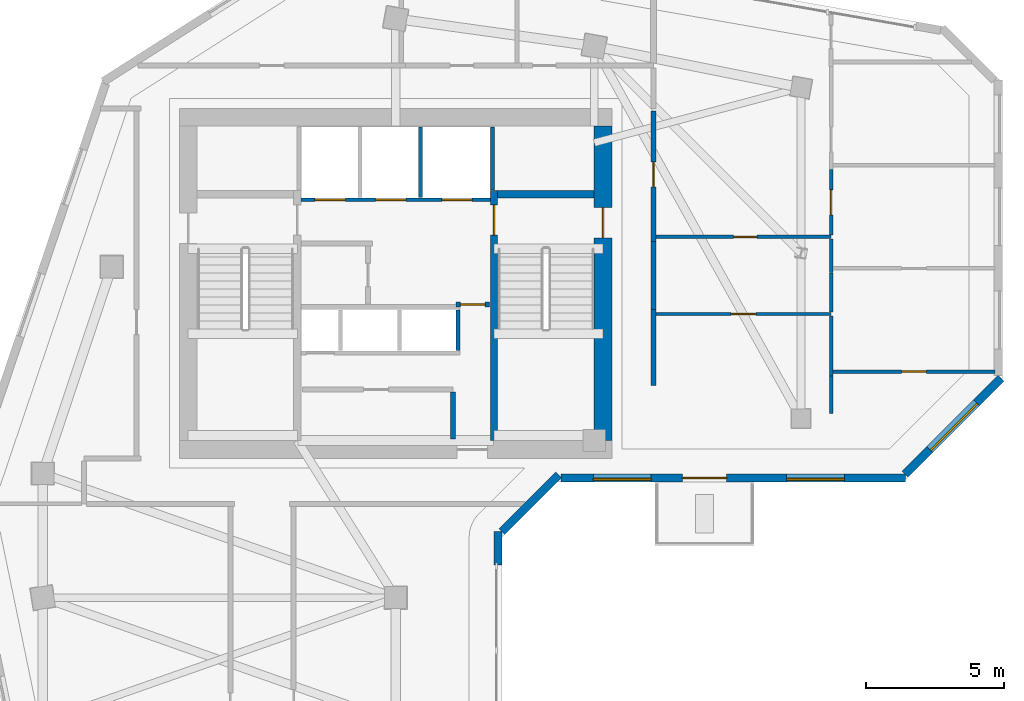
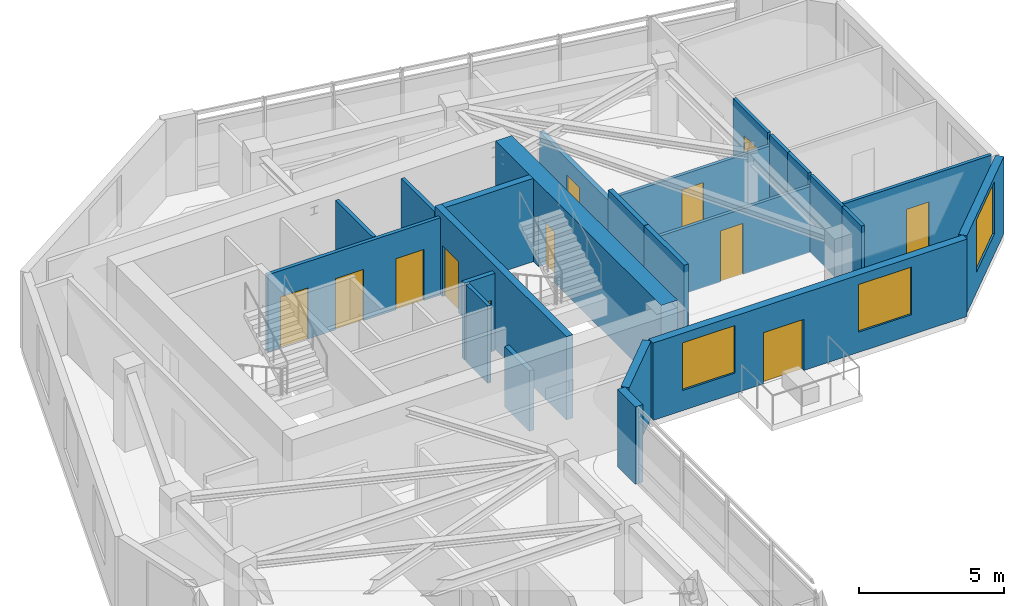
# One storey, part 5 of 9: 24 walls, 12 doors, 3 windows, 15 openings.
"""IFC4 building model written with IfcOpenShell, lengths in metres."""

import ifcopenshell
import ifcopenshell.guid

model = None  # the IFC model being written
_history = None  # IfcOwnerHistory: only IFC2X3 demands one
_inside = {}  # id of a spatial element -> (the spatial element, [elements in it])
_under = {}  # id of a project, library or spatial element -> (it, [spatial elements below it])
_declared = {}  # id of a project -> (the project, [libraries it declares])
_typed = {}  # id of a type object -> (the type object, [elements of that type])
_made_of = {}  # id of a material, layer set ... -> (it, [elements and type objects made of it])


def new_model(schema):
    """Start an empty IFC model of exactly this schema.

    Asked for "IFC4X3", IfcOpenShell would pick the latest addendum, in which some entities
    have other attributes; the version numbers below select the first issue.
    IFC2X3 requires an IfcOwnerHistory on every rooted entity: one is made here for all.
    """
    global model, _history
    if schema == "IFC4X3":
        model = ifcopenshell.file(schema_version=(4, 3, 0, 0))
    else:
        model = ifcopenshell.file(schema=schema)
    _inside.clear()
    _under.clear()
    _declared.clear()
    _typed.clear()
    _made_of.clear()
    _history = None
    if model.schema == "IFC2X3":
        org = make("IfcOrganization", Name="unknown")
        user = make(
            "IfcPersonAndOrganization",
            ThePerson=make("IfcPerson", FamilyName="unknown"),
            TheOrganization=org,
        )
        app = make(
            "IfcApplication",
            ApplicationDeveloper=org,
            Version="unknown",
            ApplicationFullName="unknown",
            ApplicationIdentifier="unknown",
        )
        _history = make(
            "IfcOwnerHistory",
            OwningUser=user,
            OwningApplication=app,
            ChangeAction="ADDED",
            CreationDate=0,
        )
    return model


def make(cls, **values):
    """One entity of the class cls with the attributes given. An attribute that is None is left unset."""
    return model.create_entity(
        cls, **{name: value for name, value in values.items() if value is not None}
    )


def rooted(cls, **values):
    """An entity with a GlobalId (a new one), such as an element, a storey or a relation."""
    return make(cls, GlobalId=ifcopenshell.guid.new(), OwnerHistory=_history, **values)


def si_unit(unit_type, name, prefix=None):
    """IfcSIUnit, for example si_unit("LENGTHUNIT", "METRE", prefix="MILLI")."""
    return make("IfcSIUnit", UnitType=unit_type, Prefix=prefix, Name=name)


def assignment(units):
    """IfcUnitAssignment: the units of a project."""
    return None if units is None else make("IfcUnitAssignment", Units=units)


def point(xyz):
    """IfcCartesianPoint."""
    return None if xyz is None else make("IfcCartesianPoint", Coordinates=xyz)


def direction(xyz):
    """IfcDirection."""
    return None if xyz is None else make("IfcDirection", DirectionRatios=xyz)


def frame(location, z_axis=None, x_axis=None):
    """IfcAxis2Placement3D, a coordinate frame: its origin and axes. An axis left out is left unset."""
    return make(
        "IfcAxis2Placement3D",
        Location=point(location),
        Axis=direction(z_axis),
        RefDirection=direction(x_axis),
    )


def frame_2d(location, x_axis=None):
    """IfcAxis2Placement2D, a coordinate frame in the plane: its origin and x axis."""
    return make(
        "IfcAxis2Placement2D", Location=point(location), RefDirection=direction(x_axis)
    )


def origin():
    """The frame at (0, 0, 0) with its axes left unset."""
    return frame((0.0, 0.0, 0.0))


def place(relative_to, where):
    """IfcLocalPlacement: puts the frame where relative to a parent placement (None: the world)."""
    return make(
        "IfcLocalPlacement", PlacementRelTo=relative_to, RelativePlacement=where
    )


def context(
    kind, dimensions, precision=None, world=None, true_north=None, identifier=None
):
    """IfcGeometricRepresentationContext, for example the 3D "Model" context."""
    return make(
        "IfcGeometricRepresentationContext",
        ContextIdentifier=identifier,
        ContextType=kind,
        CoordinateSpaceDimension=dimensions,
        Precision=precision,
        WorldCoordinateSystem=world,
        TrueNorth=true_north,
    )


def subcontext(parent, identifier, kind, view, scale=None):
    """IfcGeometricRepresentationSubContext, for example "Body" below "Model"."""
    return make(
        "IfcGeometricRepresentationSubContext",
        ContextIdentifier=identifier,
        ContextType=kind,
        ParentContext=parent,
        TargetScale=scale,
        TargetView=view,
    )


def project(units=None, contexts=None):
    """IfcProject with its units and contexts."""
    return rooted(
        "IfcProject",
        Name="project",
        RepresentationContexts=contexts,
        UnitsInContext=assignment(units),
    )


def spatial(cls, under=None, at=None, **own):
    """A site, building, storey or space (cls), placed at a placement, below another one or the project."""
    s = rooted(cls, ObjectPlacement=at, **own)
    if under is not None:
        _under.setdefault(under.id(), (under, []))[1].append(s)
    return s


def profile(cls, at=None, kind="AREA", **sizes):
    """A parametric profile (cls). Its sizes go by their IFC names, for example OverallWidth=200.0."""
    return make(cls, ProfileType=kind, Position=at, **sizes)


def rectangle(**sizes):
    """IfcRectangleProfileDef."""
    return profile("IfcRectangleProfileDef", **sizes)


def extrude(swept, where, along, depth):
    """IfcExtrudedAreaSolid: the profile swept, set in the frame where, extruded along a direction by depth."""
    return make(
        "IfcExtrudedAreaSolid",
        SweptArea=swept,
        Position=where,
        ExtrudedDirection=direction(along),
        Depth=depth,
    )


def shape(context_of_items, identifier, shape_type, items):
    """IfcShapeRepresentation: the items that make up one representation, for example the "Body"."""
    return make(
        "IfcShapeRepresentation",
        ContextOfItems=context_of_items,
        RepresentationIdentifier=identifier,
        RepresentationType=shape_type,
        Items=items,
    )


def source(mapping_origin, context_of_items, identifier, shape_type, items):
    """IfcRepresentationMap: a shape defined once, which mapped items show again and again."""
    return make(
        "IfcRepresentationMap",
        MappingOrigin=mapping_origin,
        MappedRepresentation=shape(context_of_items, identifier, shape_type, items),
    )


def transform(
    local_origin,
    x_axis=None,
    y_axis=None,
    z_axis=None,
    scale=None,
    scale2=None,
    scale3=None,
    uniform=True,
):
    """IfcCartesianTransformationOperator3D, or its non-uniform kind. x_axis, y_axis, z_axis: its Axis1, 2, 3."""
    if uniform:
        return make(
            "IfcCartesianTransformationOperator3D",
            Axis1=direction(x_axis),
            Axis2=direction(y_axis),
            LocalOrigin=point(local_origin),
            Scale=scale,
            Axis3=direction(z_axis),
        )
    return make(
        "IfcCartesianTransformationOperator3DnonUniform",
        Axis1=direction(x_axis),
        Axis2=direction(y_axis),
        LocalOrigin=point(local_origin),
        Scale=scale,
        Axis3=direction(z_axis),
        Scale2=scale2,
        Scale3=scale3,
    )


def mapped(mapping_source, mapping_target):
    """IfcMappedItem: shows the shape of a source again, moved by a transform."""
    return make(
        "IfcMappedItem", MappingSource=mapping_source, MappingTarget=mapping_target
    )


def material(Name=None, Category=None):
    """IfcMaterial."""
    return make("IfcMaterial", Name=Name, Category=Category)


def layer(
    of_material, thickness, ventilated=None, Name=None, Category=None, Priority=None
):
    """IfcMaterialLayer: one layer of a wall or slab, of a material (None: an air gap)."""
    return make(
        "IfcMaterialLayer",
        Material=of_material,
        LayerThickness=thickness,
        IsVentilated=ventilated,
        Name=Name,
        Category=Category,
        Priority=Priority,
    )


def layer_set(layers, Name=None):
    """IfcMaterialLayerSet."""
    return make("IfcMaterialLayerSet", MaterialLayers=layers, LayerSetName=Name)


def made_of(thing, what):
    """Note that an element or type object is made of a material, layer set ...; save() writes the relation."""
    if what is not None:
        _made_of.setdefault(what.id(), (what, []))[1].append(thing)
    return thing


def type_object(cls, material=None, **own):
    """A type object (cls), such as IfcWallType, which elements share."""
    return made_of(rooted(cls, **own), material)


def element(
    cls,
    number,
    at=None,
    inside=None,
    cuts=None,
    type_object=None,
    material=None,
    context=None,
    identifier="Body",
    shape_type=None,
    held_by="IfcProductDefinitionShape",
    body=None,
    shapes=None,
    **own,
):
    """One element of the class cls, such as IfcWall. Its Tag is "e" and its number.

    at: its placement. inside: the storey or other place that contains it. cuts: it is an
    opening in that element (IfcRelVoidsElement). A single representation is given by context,
    identifier, shape_type and body (its items); several are given by shapes. held_by: the class
    of the entity that holds the representations. save() writes the other relations.
    """
    e = rooted(cls, Tag="e%d" % number, ObjectPlacement=at, **own)
    if body is not None:
        shapes = [shape(context, identifier, shape_type, body)]
    if shapes is not None:
        e.Representation = make(held_by, Representations=shapes)
    if inside is not None:
        _inside.setdefault(inside.id(), (inside, []))[1].append(e)
    if cuts is not None:
        rooted(
            "IfcRelVoidsElement", RelatingBuildingElement=cuts, RelatedOpeningElement=e
        )
    if type_object is not None:
        _typed.setdefault(type_object.id(), (type_object, []))[1].append(e)
    return made_of(e, material)


def fill(opening, filler):
    """IfcRelFillsElement: the door or window that sits in an opening."""
    return rooted(
        "IfcRelFillsElement",
        RelatingOpeningElement=opening,
        RelatedBuildingElement=filler,
    )


def aggregate(whole, parts):
    """IfcRelAggregates: a whole, such as a stair, and the parts it consists of."""
    return rooted("IfcRelAggregates", RelatingObject=whole, RelatedObjects=parts)


def save(model, path):
    """Write the relations noted so far, then the file.

    IfcRelAggregates (storeys below a building ...), IfcRelContainedInSpatialStructure (elements
    in a storey), IfcRelDefinesByType, IfcRelAssociatesMaterial and IfcRelDeclares: one each for
    every whole, place, type object, material and project.
    """
    for whole, parts in _under.values():
        aggregate(whole, parts)
    for where, things in _inside.values():
        rooted(
            "IfcRelContainedInSpatialStructure",
            RelatedElements=things,
            RelatingStructure=where,
        )
    for kind, things in _typed.values():
        rooted("IfcRelDefinesByType", RelatedObjects=things, RelatingType=kind)
    for what, things in _made_of.values():
        rooted("IfcRelAssociatesMaterial", RelatedObjects=things, RelatingMaterial=what)
    for by, libraries in _declared.values():
        rooted("IfcRelDeclares", RelatingContext=by, RelatedDefinitions=libraries)
    model.write(path)


model = new_model("IFC4")

# Units and contexts
model_context = context("Model", 3, precision=1e-05, world=origin(), true_north=direction((0.0, 1.0)))
body_context = subcontext(model_context, "Body", "Model", "MODEL_VIEW")
ifc_project = project(units=[si_unit("LENGTHUNIT", "METRE"), si_unit("AREAUNIT", "SQUARE_METRE"), si_unit("VOLUMEUNIT", "CUBIC_METRE"), si_unit("PLANEANGLEUNIT", "RADIAN"), si_unit("MASSUNIT", "GRAM", prefix="KILO")], contexts=[model_context])

# Site, building, storey
site_placement = place(None, origin())
site = spatial("IfcSite", under=ifc_project, at=site_placement, CompositionType="ELEMENT")
building_placement = place(site_placement, origin())
building = spatial("IfcBuilding", under=site, at=building_placement, Name="Calvemar Wedge Station Tower", CompositionType="ELEMENT")
storey_placement = place(building_placement, frame((0.0, 0.0, 232.39990234375)))
storey = spatial("IfcBuildingStorey", under=building, at=storey_placement, Name="L59", CompositionType="ELEMENT", Elevation=232.39990234375)

# Wall, opening, door
ifc_material_1 = material(Name="Concrete C50", Category="concrete")
ifc_layer_1 = layer(ifc_material_1, 0.260009765625)
ifc_layer_set_1 = layer_set([ifc_layer_1], Name="Concrete C50")
wall_type_1 = type_object("IfcWallType", Name="SW-CORE-260", PredefinedType="SHEAR", material=ifc_layer_set_1)
wall_1_placement = place(storey_placement, frame((27.3701171875, 34.199951171875, 0.0), z_axis=(0.0, 0.0, 1.0), x_axis=(0.0, 1.0, 0.0)))
wall_1 = element("IfcWall", 1, at=wall_1_placement, inside=storey, type_object=wall_type_1, Name="Storey L59 Core Shear Wall SPINE-E", PredefinedType="SHEAR", context=body_context, shape_type="SweptSolid", body=[
    extrude(rectangle(XDim=9.06005859375, YDim=0.260009765625, at=frame_2d((4.530029296875, 0.0))), origin(), (0.0, 0.0, 1.0), 3.5),
])
shared_shape_1 = source(origin(), body_context, "Body", "SweptSolid", [
    extrude(rectangle(XDim=1.10009765625, YDim=2.14990234375, at=frame_2d((0.550048828125, 1.074951171875))), frame((0.0, 0.14013671875, 0.0), z_axis=(0.0, -1.0, 0.0), x_axis=(1.0, 0.0, 0.0)), (0.0, 0.0, 1.0), 0.280029296875),
])
opening_1_placement = place(wall_1_placement, frame((7.449951171875, 0.0, 0.0)))
opening_1 = element("IfcOpeningElement", 2, at=opening_1_placement, cuts=wall_1, Name="Opening FD-90", PredefinedType="OPENING", context=body_context, shape_type="MappedRepresentation", body=[
    mapped(shared_shape_1, transform((0.0, 0.0, 0.0), scale=1.0)),
])
ifc_material_2 = material(Name="Galvanized fire-rated steel door leaf P-90", Category="steel")
door_type_1 = type_object("IfcDoorType", Name="DR-FD90-1100", OperationType="NOTDEFINED", PredefinedType="DOOR", material=ifc_material_2)
shared_shape_2 = source(origin(), body_context, "Body", "SweptSolid", [
    extrude(rectangle(XDim=1.10009765625, YDim=2.14990234375, at=frame_2d((0.550048828125, 1.074951171875))), frame((0.0, 0.02490234375, 0.0), z_axis=(0.0, -1.0, 0.0), x_axis=(1.0, 0.0, 0.0)), (0.0, 0.0, 1.0), 0.050048828125),
])
door_1_placement = place(opening_1_placement, origin())
door_1 = element("IfcDoor", 3, at=door_1_placement, inside=storey, type_object=door_type_1, Name="L59 FF Lobby to Stair ST-C2 Door", OperationType="SINGLE_SWING_RIGHT", OverallHeight=2.14990234375, OverallWidth=1.10009765625, PredefinedType="DOOR", context=body_context, shape_type="MappedRepresentation", body=[
    mapped(shared_shape_2, transform((0.0, 0.0, 0.0), scale=1.0)),
])
fill(opening_1, door_1)

# Wall
wall_2_placement = place(storey_placement, frame((27.5, 43.1298828125, 0.0), z_axis=(0.0, 0.0, 1.0), x_axis=(1.0, 0.0, 0.0)))
element("IfcWall", 4, at=wall_2_placement, inside=storey, type_object=wall_type_1, Name="Storey L59 Core Shear Wall STC2-N", PredefinedType="SHEAR", context=body_context, shape_type="SweptSolid", body=[
    extrude(rectangle(XDim=3.5, YDim=0.260009765625, at=frame_2d((1.75, 0.0))), origin(), (0.0, 0.0, 1.0), 3.5),
])

# Wall, opening, door
ifc_material_3 = material(Name="Concrete C60", Category="concrete")
ifc_layer_2 = layer(ifc_material_3, 0.64990234375)
ifc_layer_set_2 = layer_set([ifc_layer_2], Name="Concrete C60")
wall_type_2 = type_object("IfcWallType", Name="SW-CORE-650", PredefinedType="SHEAR", material=ifc_layer_set_2)
wall_3_placement = place(storey_placement, frame((31.324951171875, 34.199951171875, 0.0), z_axis=(0.0, 0.0, 1.0), x_axis=(0.0, 1.0, 0.0)))
wall_3 = element("IfcWall", 5, at=wall_3_placement, inside=storey, type_object=wall_type_2, Name="Storey L59 Core Shear Wall E", PredefinedType="SHEAR", context=body_context, shape_type="SweptSolid", body=[
    extrude(rectangle(XDim=11.400146484375, YDim=0.64990234375, at=frame_2d((5.7001953125, 0.0))), origin(), (0.0, 0.0, 1.0), 3.5),
])
shared_shape_3 = source(origin(), body_context, "Body", "SweptSolid", [
    extrude(rectangle(XDim=1.10009765625, YDim=2.14990234375, at=frame_2d((0.550048828125, 1.074951171875))), frame((0.0, 0.3349609375, 0.0), z_axis=(0.0, -1.0, 0.0), x_axis=(1.0, 0.0, 0.0)), (0.0, 0.0, 1.0), 0.669921875),
])
opening_2_placement = place(wall_3_placement, frame((7.35009765625, 0.0, 0.0)))
opening_2 = element("IfcOpeningElement", 6, at=opening_2_placement, cuts=wall_3, Name="Opening FD-90", PredefinedType="OPENING", context=body_context, shape_type="MappedRepresentation", body=[
    mapped(shared_shape_3, transform((0.0, 0.0, 0.0), scale=1.0)),
])
door_2_placement = place(opening_2_placement, origin())
door_2 = element("IfcDoor", 7, at=door_2_placement, inside=storey, type_object=door_type_1, Name="L59 East Corridor to Exit Stair ST-C2 Door", OperationType="SINGLE_SWING_RIGHT", OverallHeight=2.14990234375, OverallWidth=1.10009765625, PredefinedType="DOOR", context=body_context, shape_type="MappedRepresentation", body=[
    mapped(shared_shape_2, transform((0.0, 0.0, 0.0), scale=1.0)),
])
fill(opening_2, door_2)

ifc_material_4 = material(Name="Double-stud fire-rated corridor partition")
ifc_layer_3 = layer(ifc_material_4, 0.179931640625)
ifc_layer_set_3 = layer_set([ifc_layer_3], Name="Double-stud fire-rated corridor partition")
wall_type_3 = type_object("IfcWallType", Name="W-CORR-180", PredefinedType="PARTITIONING", material=ifc_layer_set_3)
wall_4_placement = place(storey_placement, frame((27.199951171875, 39.1298828125, 0.0), z_axis=(0.0, 0.0, 1.0), x_axis=(-1.0, 0.0, 0.0)))
wall_4 = element("IfcWall", 8, at=wall_4_placement, inside=storey, type_object=wall_type_3, Name="Storey L59 Interior Partition WL-L59-003", PredefinedType="PARTITIONING", context=body_context, shape_type="SweptSolid", body=[
    extrude(rectangle(XDim=1.2099609375, YDim=0.179931640625, at=frame_2d((0.60498046875, 0.0))), origin(), (0.0, 0.0, 1.0), 3.25),
])
shared_shape_4 = source(origin(), body_context, "Body", "SweptSolid", [
    extrude(rectangle(XDim=0.89990234375, YDim=2.14990234375, at=frame_2d((0.449951171875, 1.074951171875))), frame((0.0, 0.10009765625, 0.0), z_axis=(0.0, -1.0, 0.0), x_axis=(1.0, 0.0, 0.0)), (0.0, 0.0, 1.0), 0.199951171875),
])
opening_3_placement = place(wall_4_placement, frame((0.155029296875, 0.0, 0.0)))
opening_3 = element("IfcOpeningElement", 9, at=opening_3_placement, cuts=wall_4, Name="Opening FD-60", PredefinedType="OPENING", context=body_context, shape_type="MappedRepresentation", body=[
    mapped(shared_shape_4, transform((0.0, 0.0, 0.0), scale=1.0)),
])
ifc_material_5 = material(Name="Fire-rated acoustic timber-core entrance door EI 60", Category="wood")
door_type_2 = type_object("IfcDoorType", Name="DR-FD60-900", OperationType="NOTDEFINED", PredefinedType="DOOR", material=ifc_material_5)
shared_shape_5 = source(origin(), body_context, "Body", "SweptSolid", [
    extrude(rectangle(XDim=0.89990234375, YDim=2.14990234375, at=frame_2d((0.449951171875, 1.074951171875))), frame((0.0, 0.02490234375, 0.0), z_axis=(0.0, -1.0, 0.0), x_axis=(1.0, 0.0, 0.0)), (0.0, 0.0, 1.0), 0.050048828125),
])
door_3_placement = place(opening_3_placement, origin())
door_3 = element("IfcDoor", 10, at=door_3_placement, inside=storey, type_object=door_type_2, Name="L59 Core Service Lobby Door", OperationType="SINGLE_SWING_LEFT", OverallHeight=2.14990234375, OverallWidth=0.89990234375, PredefinedType="DOOR", context=body_context, shape_type="MappedRepresentation", body=[
    mapped(shared_shape_5, transform((0.0, 0.0, 0.0), scale=1.0)),
])
fill(opening_3, door_3)

# Walls
wall_5_placement = place(storey_placement, frame((25.8798828125, 35.9560546875, 0.0), z_axis=(0.0, 0.0, 1.0), x_axis=(0.0, -1.0, 0.0)))
element("IfcWall", 11, at=wall_5_placement, inside=storey, type_object=wall_type_3, Name="Storey L59 Interior Partition WL-L59-005", PredefinedType="PARTITIONING", context=body_context, shape_type="SweptSolid", body=[
    extrude(rectangle(XDim=1.7060546875, YDim=0.179931640625, at=frame_2d((0.85302734375, 0.0))), origin(), (0.0, 0.0, 1.0), 2.5419921875),
])
wall_6_placement = place(storey_placement, frame((33.14990234375, 38.947998046875, 0.0), z_axis=(0.0, 0.0, 1.0), x_axis=(0.0, -1.0, 0.0)))
element("IfcWall", 12, at=wall_6_placement, inside=storey, type_object=wall_type_3, Name="Storey L59 Interior Partition WL-L59-016", PredefinedType="PARTITIONING", context=body_context, shape_type="SweptSolid", body=[
    extrude(rectangle(XDim=2.748046875, YDim=0.179931640625, at=frame_2d((1.3740234375, 0.0))), origin(), (0.0, 0.0, 1.0), 3.25),
])

# Wall, opening, door
wall_7_placement = place(storey_placement, frame((33.14990234375, 46.156005859375, 0.0), z_axis=(0.0, 0.0, 1.0), x_axis=(0.0, -1.0, 0.0)))
wall_7 = element("IfcWall", 13, at=wall_7_placement, inside=storey, type_object=wall_type_3, Name="Storey L59 Interior Partition WL-L59-017", PredefinedType="PARTITIONING", context=body_context, shape_type="SweptSolid", body=[
    extrude(rectangle(XDim=4.73291015625, YDim=0.179931640625, at=frame_2d((2.366455078125, 0.0))), origin(), (0.0, 0.0, 1.0), 2.822021484375),
])
opening_4_placement = place(wall_7_placement, frame((1.85595703125, 0.0, 0.0)))
opening_4 = element("IfcOpeningElement", 14, at=opening_4_placement, cuts=wall_7, Name="Opening FD-60", PredefinedType="OPENING", context=body_context, shape_type="MappedRepresentation", body=[
    mapped(shared_shape_4, transform((0.0, 0.0, 0.0), scale=1.0)),
])
door_4_placement = place(opening_4_placement, origin())
door_4 = element("IfcDoor", 15, at=door_4_placement, inside=storey, type_object=door_type_2, Name="L59 Living Dining Door", OperationType="SINGLE_SWING_RIGHT", OverallHeight=2.14990234375, OverallWidth=0.89990234375, PredefinedType="DOOR", context=body_context, shape_type="MappedRepresentation", body=[
    mapped(shared_shape_5, transform((0.0, 0.0, 0.0), scale=1.0)),
])
fill(opening_4, door_4)

# Walls
wall_8_placement = place(storey_placement, frame((33.14990234375, 41.4208984375, 0.0), z_axis=(0.0, 0.0, 1.0), x_axis=(0.0, -1.0, 0.0)))
element("IfcWall", 16, at=wall_8_placement, inside=storey, type_object=wall_type_3, Name="Storey L59 Interior Partition WL-L59-018", PredefinedType="PARTITIONING", context=body_context, shape_type="SweptSolid", body=[
    extrude(rectangle(XDim=2.470947265625, YDim=0.179931640625, at=frame_2d((1.2353515625, 0.0))), origin(), (0.0, 0.0, 1.0), 3.25),
])
ifc_material_6 = material(Name="Precast concrete C45", Category="concrete")
ifc_layer_4 = layer(ifc_material_6, 0.300048828125)
ifc_layer_set_4 = layer_set([ifc_layer_4], Name="Precast concrete C45")
wall_type_4 = type_object("IfcWallType", Name="W-EXT-GFRC-300", PredefinedType="SOLIDWALL", material=ifc_layer_set_4)
wall_9_placement = place(storey_placement, frame((27.513916015625, 29.676513671875, 0.0), z_axis=(0.0, 0.0, 1.0), x_axis=(0.0, 1.0, 0.0)))
element("IfcWall", 17, at=wall_9_placement, inside=storey, type_object=wall_type_4, Name="Storey L59 Bronze GFRC Corner Pier 4B", PredefinedType="SOLIDWALL", context=body_context, shape_type="SweptSolid", body=[
    extrude(rectangle(XDim=1.2275390625, YDim=0.300048828125, at=frame_2d((0.61376953125, 0.0))), origin(), (0.0, 0.0, 1.0), 3.25),
])
wall_10_placement = place(storey_placement, frame((27.652099609375, 30.89208984375, 0.0), z_axis=(0.0, 0.0, 1.0), x_axis=(0.707106781187, 0.707106781187, 0.0)))
element("IfcWall", 18, at=wall_10_placement, inside=storey, type_object=wall_type_4, Name="Storey L59 Bronze GFRC Exterior Wall 5", PredefinedType="SOLIDWALL", context=body_context, shape_type="SweptSolid", body=[
    extrude(rectangle(XDim=2.907470703125, YDim=0.300048828125, at=frame_2d((1.45361328125, 0.0))), origin(), (0.0, 0.0, 1.0), 3.25),
])

# Wall, openings, windows, door
wall_11_placement = place(storey_placement, frame((29.797119140625, 32.842041015625, 0.0), z_axis=(0.0, 0.0, 1.0), x_axis=(1.0, 0.0, 0.0)))
wall_11 = element("IfcWall", 19, at=wall_11_placement, inside=storey, type_object=wall_type_4, Name="Storey L59 Bronze GFRC Exterior Wall 6", PredefinedType="SOLIDWALL", context=body_context, shape_type="SweptSolid", body=[
    extrude(rectangle(XDim=12.49072265625, YDim=0.300048828125, at=frame_2d((6.245361328125, 0.0))), origin(), (0.0, 0.0, 1.0), 3.25),
])
shared_shape_6 = source(origin(), body_context, "Body", "SweptSolid", [
    extrude(rectangle(XDim=1.60009765625, YDim=2.14990234375, at=frame_2d((0.800048828125, 1.074951171875))), frame((0.0, 0.16015625, 0.0), z_axis=(0.0, -1.0, 0.0), x_axis=(1.0, 0.0, 0.0)), (0.0, 0.0, 1.0), 0.320068359375),
])
opening_5_placement = place(wall_11_placement, frame((4.403076171875, 0.0, 0.0)))
opening_5 = element("IfcOpeningElement", 20, at=opening_5_placement, cuts=wall_11, Name="Opening DT1", PredefinedType="OPENING", context=body_context, shape_type="MappedRepresentation", body=[
    mapped(shared_shape_6, transform((0.0, 0.0, 0.0), scale=1.0)),
])
shared_shape_7 = source(origin(), body_context, "Body", "SweptSolid", [
    extrude(rectangle(XDim=2.10009765625, YDim=2.0, at=frame_2d((1.050048828125, 1.0))), frame((0.0, 0.16015625, 0.0), z_axis=(0.0, -1.0, 0.0), x_axis=(1.0, 0.0, 0.0)), (0.0, 0.0, 1.0), 0.320068359375),
])
opening_6_placement = place(wall_11_placement, frame((1.1708984375, 0.0, 0.85009765625)))
opening_6 = element("IfcOpeningElement", 21, at=opening_6_placement, cuts=wall_11, Name="Opening W4", PredefinedType="OPENING", context=body_context, shape_type="MappedRepresentation", body=[
    mapped(shared_shape_7, transform((0.0, 0.0, 0.0), scale=1.0)),
])
opening_7_placement = place(wall_11_placement, frame((8.177001953125, 0.0, 0.85009765625)))
opening_7 = element("IfcOpeningElement", 22, at=opening_7_placement, cuts=wall_11, Name="Opening W4", PredefinedType="OPENING", context=body_context, shape_type="MappedRepresentation", body=[
    mapped(shared_shape_7, transform((0.0, 0.0, 0.0), scale=1.0)),
])
ifc_material_7 = material(Name="Low-E laminated insulated glass", Category="glass")
window_type_1 = type_object("IfcWindowType", Name="WIN-EXT-4", PartitioningType="SINGLE_PANEL", PredefinedType="WINDOW", material=ifc_material_7)
shared_shape_8 = source(origin(), body_context, "Body", "SweptSolid", [
    extrude(rectangle(XDim=2.10009765625, YDim=2.0, at=frame_2d((1.050048828125, 1.0))), frame((0.0, -0.014892578125, 0.0), z_axis=(0.0, -1.0, 0.0), x_axis=(1.0, 0.0, 0.0)), (0.0, 0.0, 1.0), 0.06005859375),
])
window_1_placement = place(opening_6_placement, origin())
window_1 = element("IfcWindow", 23, at=window_1_placement, inside=storey, type_object=window_type_1, Name="Storey L59 Recessed Window 6.1", OverallHeight=2.0, OverallWidth=2.10009765625, PartitioningType="SINGLE_PANEL", PredefinedType="WINDOW", context=body_context, shape_type="MappedRepresentation", body=[
    mapped(shared_shape_8, transform((0.0, 0.0, 0.0), scale=1.0)),
])
fill(opening_6, window_1)
window_2_placement = place(opening_7_placement, origin())
window_2 = element("IfcWindow", 24, at=window_2_placement, inside=storey, type_object=window_type_1, Name="Storey L59 Recessed Window 6.2", OverallHeight=2.0, OverallWidth=2.10009765625, PartitioningType="SINGLE_PANEL", PredefinedType="WINDOW", context=body_context, shape_type="MappedRepresentation", body=[
    mapped(shared_shape_8, transform((0.0, 0.0, 0.0), scale=1.0)),
])
fill(opening_7, window_2)
ifc_material_8 = material(Name="Anodised aluminium 6063-T6", Category="aluminium")
door_type_3 = type_object("IfcDoorType", Name="DR-TERR-1600", OperationType="DOUBLE_DOOR_SLIDING", PredefinedType="DOOR", material=ifc_material_8)
shared_shape_9 = source(origin(), body_context, "Body", "SweptSolid", [
    extrude(rectangle(XDim=1.60009765625, YDim=2.14990234375, at=frame_2d((0.800048828125, 1.074951171875))), frame((0.0, 0.02490234375, 0.0), z_axis=(0.0, -1.0, 0.0), x_axis=(1.0, 0.0, 0.0)), (0.0, 0.0, 1.0), 0.050048828125),
])
door_5_placement = place(opening_5_placement, origin())
door_5 = element("IfcDoor", 25, at=door_5_placement, inside=storey, type_object=door_type_3, Name="Storey L59 Spiral Terrace Door", OperationType="DOUBLE_DOOR_SLIDING", OverallHeight=2.14990234375, OverallWidth=1.60009765625, PredefinedType="DOOR", context=body_context, shape_type="MappedRepresentation", body=[
    mapped(shared_shape_9, transform((0.0, 0.0, 0.0), scale=1.0)),
])
fill(opening_5, door_5)

# Wall, opening, window
wall_12_placement = place(storey_placement, frame((42.27587890625, 32.97998046875, 0.0), z_axis=(0.0, 0.0, 1.0), x_axis=(0.707106781187, 0.707106781187, 0.0)))
wall_12 = element("IfcWall", 26, at=wall_12_placement, inside=storey, type_object=wall_type_4, Name="Storey L59 Bronze GFRC Exterior Wall 7", PredefinedType="SOLIDWALL", context=body_context, shape_type="SweptSolid", body=[
    extrude(rectangle(XDim=4.921875, YDim=0.300048828125, at=frame_2d((2.4609375, 0.0))), origin(), (0.0, 0.0, 1.0), 3.25),
])
shared_shape_10 = source(origin(), body_context, "Body", "SweptSolid", [
    extrude(rectangle(XDim=2.39990234375, YDim=2.199951171875, at=frame_2d((1.199951171875, 1.10009765625))), frame((0.0, 0.16015625, 0.0), z_axis=(0.0, -1.0, 0.0), x_axis=(1.0, 0.0, 0.0)), (0.0, 0.0, 1.0), 0.320068359375),
])
opening_8_placement = place(wall_12_placement, frame((1.260986328125, 0.0, 0.85009765625)))
opening_8 = element("IfcOpeningElement", 27, at=opening_8_placement, cuts=wall_12, Name="Opening W1", PredefinedType="OPENING", context=body_context, shape_type="MappedRepresentation", body=[
    mapped(shared_shape_10, transform((0.0, 0.0, 0.0), scale=1.0)),
])
window_type_2 = type_object("IfcWindowType", Name="WIN-EXT-1", PartitioningType="SINGLE_PANEL", PredefinedType="WINDOW", material=ifc_material_7)
shared_shape_11 = source(origin(), body_context, "Body", "SweptSolid", [
    extrude(rectangle(XDim=2.39990234375, YDim=2.199951171875, at=frame_2d((1.199951171875, 1.10009765625))), frame((0.0, -0.014892578125, 0.0), z_axis=(0.0, -1.0, 0.0), x_axis=(1.0, 0.0, 0.0)), (0.0, 0.0, 1.0), 0.06005859375),
])
window_3_placement = place(opening_8_placement, origin())
window_3 = element("IfcWindow", 28, at=window_3_placement, inside=storey, type_object=window_type_2, Name="Storey L59 Recessed Window 7.1", OverallHeight=2.199951171875, OverallWidth=2.39990234375, PartitioningType="SINGLE_PANEL", PredefinedType="WINDOW", context=body_context, shape_type="MappedRepresentation", body=[
    mapped(shared_shape_11, transform((0.0, 0.0, 0.0), scale=1.0)),
])
fill(opening_8, window_3)

# Wall, openings, doors
ifc_material_9 = material(Name="Reinforced concrete blockwork lift shaft wall", Category="masonry")
ifc_layer_5 = layer(ifc_material_9, 0.139892578125)
ifc_layer_set_5 = layer_set([ifc_layer_5], Name="Reinforced concrete blockwork lift shaft wall")
wall_type_5 = type_object("IfcWallType", Name="W-LIFT-160", PredefinedType="SOLIDWALL", material=ifc_layer_set_5)
wall_13_placement = place(storey_placement, frame((20.3701171875, 42.929931640625, 0.0), z_axis=(0.0, 0.0, 1.0), x_axis=(1.0, 0.0, 0.0)))
wall_13 = element("IfcWall", 29, at=wall_13_placement, inside=storey, type_object=wall_type_5, Name="Storey L59 Firefighting and Service Lift Shaft Front Wall", PredefinedType="SOLIDWALL", context=body_context, shape_type="SweptSolid", body=[
    extrude(rectangle(XDim=6.85986328125, YDim=0.139892578125, at=frame_2d((3.429931640625, 0.0))), origin(), (0.0, 0.0, 1.0), 3.25),
])
shared_shape_12 = source(origin(), body_context, "Body", "SweptSolid", [
    extrude(rectangle(XDim=1.10009765625, YDim=2.14990234375, at=frame_2d((0.550048828125, 1.074951171875))), frame((0.0, 0.080078125, 0.0), z_axis=(0.0, -1.0, 0.0), x_axis=(1.0, 0.0, 0.0)), (0.0, 0.0, 1.0), 0.159912109375),
])
opening_9_placement = place(wall_13_placement, frame((0.5, 0.0, 0.0)))
opening_9 = element("IfcOpeningElement", 30, at=opening_9_placement, cuts=wall_13, Name="Opening LD-FF", PredefinedType="OPENING", context=body_context, shape_type="MappedRepresentation", body=[
    mapped(shared_shape_12, transform((0.0, 0.0, 0.0), scale=1.0)),
])
opening_10_placement = place(wall_13_placement, frame((2.699951171875, 0.0, 0.0)))
opening_10 = element("IfcOpeningElement", 31, at=opening_10_placement, cuts=wall_13, Name="Opening LD-FF", PredefinedType="OPENING", context=body_context, shape_type="MappedRepresentation", body=[
    mapped(shared_shape_12, transform((0.0, 0.0, 0.0), scale=1.0)),
])
opening_11_placement = place(wall_13_placement, frame((5.10009765625, 0.0, 0.0)))
opening_11 = element("IfcOpeningElement", 32, at=opening_11_placement, cuts=wall_13, Name="Opening LD-STN", PredefinedType="OPENING", context=body_context, shape_type="MappedRepresentation", body=[
    mapped(shared_shape_12, transform((0.0, 0.0, 0.0), scale=1.0)),
])
ifc_material_10 = material(Name="Stainless steel firefighting lift sliding landing door", Category="steel")
door_type_4 = type_object("IfcDoorType", Name="DR-LD-FF-1100", OperationType="SLIDING_TO_LEFT", PredefinedType="DOOR", material=ifc_material_10)
shared_shape_13 = source(origin(), body_context, "Body", "SweptSolid", [
    extrude(rectangle(XDim=1.10009765625, YDim=2.14990234375, at=frame_2d((0.550048828125, 1.074951171875))), frame((0.0, 0.02490234375, 0.0), z_axis=(0.0, -1.0, 0.0), x_axis=(1.0, 0.0, 0.0)), (0.0, 0.0, 1.0), 0.050048828125),
])
door_6_placement = place(opening_9_placement, origin())
door_6 = element("IfcDoor", 33, at=door_6_placement, inside=storey, type_object=door_type_4, Name="L59 Lift FF-01 Sliding Landing Door", OperationType="SLIDING_TO_LEFT", OverallHeight=2.14990234375, OverallWidth=1.10009765625, PredefinedType="DOOR", context=body_context, shape_type="MappedRepresentation", body=[
    mapped(shared_shape_13, transform((0.0, 0.0, 0.0), scale=1.0)),
])
fill(opening_9, door_6)
door_7_placement = place(opening_10_placement, origin())
door_7 = element("IfcDoor", 34, at=door_7_placement, inside=storey, type_object=door_type_4, Name="L59 Lift FF-02 Sliding Landing Door", OperationType="SLIDING_TO_RIGHT", OverallHeight=2.14990234375, OverallWidth=1.10009765625, PredefinedType="DOOR", context=body_context, shape_type="MappedRepresentation", body=[
    mapped(shared_shape_13, transform((0.0, 0.0, 0.0), scale=1.0)),
])
fill(opening_10, door_7)
ifc_material_11 = material(Name="Stainless steel transit lift sliding landing door", Category="steel")
door_type_5 = type_object("IfcDoorType", Name="DR-LD-PAX-1100", OperationType="SLIDING_TO_LEFT", PredefinedType="DOOR", material=ifc_material_11)
shared_shape_14 = source(origin(), body_context, "Body", "SweptSolid", [
    extrude(rectangle(XDim=1.10009765625, YDim=2.14990234375, at=frame_2d((0.550048828125, 1.074951171875))), frame((0.0, 0.02490234375, 0.0), z_axis=(0.0, -1.0, 0.0), x_axis=(1.0, 0.0, 0.0)), (0.0, 0.0, 1.0), 0.050048828125),
])
door_8_placement = place(opening_11_placement, origin())
door_8 = element("IfcDoor", 35, at=door_8_placement, inside=storey, type_object=door_type_5, Name="L59 Lift SV-01 Sliding Landing Door", OperationType="SLIDING_TO_LEFT", OverallHeight=2.14990234375, OverallWidth=1.10009765625, PredefinedType="DOOR", context=body_context, shape_type="MappedRepresentation", body=[
    mapped(shared_shape_14, transform((0.0, 0.0, 0.0), scale=1.0)),
])
fill(opening_11, door_8)

# Walls
wall_14_placement = place(storey_placement, frame((27.31005859375, 43.280029296875, 0.0), z_axis=(0.0, 0.0, 1.0), x_axis=(0.0, 1.0, 0.0)))
element("IfcWall", 36, at=wall_14_placement, inside=storey, type_object=wall_type_5, Name="Storey L59 Firefighting Lift Shaft Enclosure Wall E", PredefinedType="SOLIDWALL", context=body_context, shape_type="SweptSolid", body=[
    extrude(rectangle(XDim=2.300048828125, YDim=0.139892578125, at=frame_2d((1.14990234375, 0.0))), origin(), (0.0, 0.0, 1.0), 3.25),
])
wall_15_placement = place(storey_placement, frame((24.699951171875, 43.02001953125, 0.0), z_axis=(0.0, 0.0, 1.0), x_axis=(0.0, 1.0, 0.0)))
element("IfcWall", 37, at=wall_15_placement, inside=storey, type_object=wall_type_5, Name="Storey L59 Firefighting Lift Shaft Enclosure Wall D2", PredefinedType="SOLIDWALL", context=body_context, shape_type="SweptSolid", body=[
    extrude(rectangle(XDim=2.56005859375, YDim=0.139892578125, at=frame_2d((1.280029296875, 0.0))), origin(), (0.0, 0.0, 1.0), 3.25),
])
wall_16_placement = place(storey_placement, frame((26.06005859375, 37.4599609375, 0.0), z_axis=(0.0, 0.0, 1.0), x_axis=(0.0, 1.0, 0.0)))
element("IfcWall", 38, at=wall_16_placement, inside=storey, type_object=wall_type_5, Name="Storey L59 Upper Passenger Lift Shaft Wall E", PredefinedType="SOLIDWALL", context=body_context, shape_type="SweptSolid", body=[
    extrude(rectangle(XDim=1.47998046875, YDim=0.139892578125, at=frame_2d((0.739990234375, 0.0))), origin(), (0.0, 0.0, 1.0), 3.25),
])

# Wall, opening, door
ifc_material_12 = material(Name="Insulated acoustic gypsum stud partition")
ifc_layer_6 = layer(ifc_material_12, 0.125)
ifc_layer_set_6 = layer_set([ifc_layer_6], Name="Insulated acoustic gypsum stud partition")
wall_type_6 = type_object("IfcWallType", Name="W-PART-125", PredefinedType="PARTITIONING", material=ifc_layer_set_6)
wall_17_placement = place(storey_placement, frame((33.243896484375, 38.7880859375, 0.0), z_axis=(0.0, 0.0, 1.0), x_axis=(1.0, 0.0, 0.0)))
wall_17 = element("IfcWall", 39, at=wall_17_placement, inside=storey, type_object=wall_type_6, Name="Storey L59 Interior Partition WL-L59-023", PredefinedType="PARTITIONING", context=body_context, shape_type="SweptSolid", body=[
    extrude(rectangle(XDim=6.34619140625, YDim=0.125, at=frame_2d((3.173095703125, 0.0))), origin(), (0.0, 0.0, 1.0), 2.76611328125),
])
shared_shape_15 = source(origin(), body_context, "Body", "SweptSolid", [
    extrude(rectangle(XDim=0.89990234375, YDim=2.14990234375, at=frame_2d((0.449951171875, 1.074951171875))), frame((0.0, 0.072509765625, 0.0), z_axis=(0.0, -1.0, 0.0), x_axis=(1.0, 0.0, 0.0)), (0.0, 0.0, 1.0), 0.14501953125),
])
opening_12_placement = place(wall_17_placement, frame((2.722900390625, 0.0, 0.0)))
opening_12 = element("IfcOpeningElement", 40, at=opening_12_placement, cuts=wall_17, Name="Opening D-01", PredefinedType="OPENING", context=body_context, shape_type="MappedRepresentation", body=[
    mapped(shared_shape_15, transform((0.0, 0.0, 0.0), scale=1.0)),
])
ifc_material_13 = material(Name="Architectural hardwood acoustic swing door", Category="wood")
door_type_6 = type_object("IfcDoorType", Name="DR-INT-900", OperationType="NOTDEFINED", PredefinedType="DOOR", material=ifc_material_13)
shared_shape_16 = source(origin(), body_context, "Body", "SweptSolid", [
    extrude(rectangle(XDim=0.89990234375, YDim=2.14990234375, at=frame_2d((0.449951171875, 1.074951171875))), frame((0.0, 0.02490234375, 0.0), z_axis=(0.0, -1.0, 0.0), x_axis=(1.0, 0.0, 0.0)), (0.0, 0.0, 1.0), 0.050048828125),
])
door_9_placement = place(opening_12_placement, origin())
door_9 = element("IfcDoor", 41, at=door_9_placement, inside=storey, type_object=door_type_6, Name="L59 Study Door", OperationType="SINGLE_SWING_LEFT", OverallHeight=2.14990234375, OverallWidth=0.89990234375, PredefinedType="DOOR", context=body_context, shape_type="MappedRepresentation", body=[
    mapped(shared_shape_16, transform((0.0, 0.0, 0.0), scale=1.0)),
])
fill(opening_12, door_9)

# Walls
wall_18_placement = place(storey_placement, frame((39.590087890625, 38.721435546875, 0.0), z_axis=(0.0, 0.0, 1.0), x_axis=(0.0, -1.0, 0.0)))
element("IfcWall", 42, at=wall_18_placement, inside=storey, type_object=wall_type_6, Name="Storey L59 Interior Partition WL-L59-024", PredefinedType="PARTITIONING", context=body_context, shape_type="SweptSolid", body=[
    extrude(rectangle(XDim=2.180419921875, YDim=0.125, at=frame_2d((1.09033203125, 0.0))), origin(), (0.0, 0.0, 1.0), 3.25),
])
wall_19_placement = place(storey_placement, frame((39.590087890625, 36.5390625, 0.0), z_axis=(0.0, 0.0, 1.0), x_axis=(0.0, -1.0, 0.0)))
element("IfcWall", 43, at=wall_19_placement, inside=storey, type_object=wall_type_6, Name="Storey L59 Interior Partition WL-L59-025", PredefinedType="PARTITIONING", context=body_context, shape_type="SweptSolid", body=[
    extrude(rectangle(XDim=1.35107421875, YDim=0.125, at=frame_2d((0.675537109375, 0.0))), origin(), (0.0, 0.0, 1.0), 3.25),
])

# Wall, opening, door
wall_20_placement = place(storey_placement, frame((39.590087890625, 41.5830078125, 0.0), z_axis=(0.0, 0.0, 1.0), x_axis=(-1.0, 0.0, 0.0)))
wall_20 = element("IfcWall", 44, at=wall_20_placement, inside=storey, type_object=wall_type_6, Name="Storey L59 Interior Partition WL-L59-026", PredefinedType="PARTITIONING", context=body_context, shape_type="SweptSolid", body=[
    extrude(rectangle(XDim=6.34619140625, YDim=0.125, at=frame_2d((3.173095703125, 0.0))), origin(), (0.0, 0.0, 1.0), 2.76611328125),
])
shared_shape_17 = source(origin(), body_context, "Body", "SweptSolid", [
    extrude(rectangle(XDim=0.85009765625, YDim=2.14990234375, at=frame_2d((0.425048828125, 1.074951171875))), frame((0.0, 0.072509765625, 0.0), z_axis=(0.0, -1.0, 0.0), x_axis=(1.0, 0.0, 0.0)), (0.0, 0.0, 1.0), 0.14501953125),
])
opening_13_placement = place(wall_20_placement, frame((2.687744140625, 0.0, 0.0)))
opening_13 = element("IfcOpeningElement", 45, at=opening_13_placement, cuts=wall_20, Name="Opening D-02", PredefinedType="OPENING", context=body_context, shape_type="MappedRepresentation", body=[
    mapped(shared_shape_17, transform((0.0, 0.0, 0.0), scale=1.0)),
])
ifc_material_14 = material(Name="Moisture-sealed bathroom hardwood swing door", Category="wood")
door_type_7 = type_object("IfcDoorType", Name="DR-WET-850", OperationType="NOTDEFINED", PredefinedType="DOOR", material=ifc_material_14)
shared_shape_18 = source(origin(), body_context, "Body", "SweptSolid", [
    extrude(rectangle(XDim=0.85009765625, YDim=2.14990234375, at=frame_2d((0.425048828125, 1.074951171875))), frame((0.0, 0.02490234375, 0.0), z_axis=(0.0, -1.0, 0.0), x_axis=(1.0, 0.0, 0.0)), (0.0, 0.0, 1.0), 0.050048828125),
])
door_10_placement = place(opening_13_placement, origin())
door_10 = element("IfcDoor", 46, at=door_10_placement, inside=storey, type_object=door_type_7, Name="L59 Kitchen Door", OperationType="SINGLE_SWING_LEFT", OverallHeight=2.14990234375, OverallWidth=0.85009765625, PredefinedType="DOOR", context=body_context, shape_type="MappedRepresentation", body=[
    mapped(shared_shape_18, transform((0.0, 0.0, 0.0), scale=1.0)),
])
fill(opening_13, door_10)

wall_21_placement = place(storey_placement, frame((39.590087890625, 44.027099609375, 0.0), z_axis=(0.0, 0.0, 1.0), x_axis=(0.0, -1.0, 0.0)))
wall_21 = element("IfcWall", 47, at=wall_21_placement, inside=storey, type_object=wall_type_6, Name="Storey L59 Interior Partition WL-L59-029", PredefinedType="PARTITIONING", context=body_context, shape_type="SweptSolid", body=[
    extrude(rectangle(XDim=2.377685546875, YDim=0.125, at=frame_2d((1.18896484375, 0.0))), origin(), (0.0, 0.0, 1.0), 3.25),
])
opening_14_placement = place(wall_21_placement, frame((0.73876953125, 0.0, 0.0)))
opening_14 = element("IfcOpeningElement", 48, at=opening_14_placement, cuts=wall_21, Name="Opening D-01", PredefinedType="OPENING", context=body_context, shape_type="MappedRepresentation", body=[
    mapped(shared_shape_15, transform((0.0, 0.0, 0.0), scale=1.0)),
])
door_11_placement = place(opening_14_placement, origin())
door_11 = element("IfcDoor", 49, at=door_11_placement, inside=storey, type_object=door_type_6, Name="L59 Bedroom Door", OperationType="SINGLE_SWING_RIGHT", OverallHeight=2.14990234375, OverallWidth=0.89990234375, PredefinedType="DOOR", context=body_context, shape_type="MappedRepresentation", body=[
    mapped(shared_shape_16, transform((0.0, 0.0, 0.0), scale=1.0)),
])
fill(opening_14, door_11)

# Walls
wall_22_placement = place(storey_placement, frame((39.590087890625, 41.5166015625, 0.0), z_axis=(0.0, 0.0, 1.0), x_axis=(0.0, -1.0, 0.0)))
element("IfcWall", 50, at=wall_22_placement, inside=storey, type_object=wall_type_6, Name="Storey L59 Interior Partition WL-L59-030", PredefinedType="PARTITIONING", context=body_context, shape_type="SweptSolid", body=[
    extrude(rectangle(XDim=1.231689453125, YDim=0.125, at=frame_2d((0.61572265625, 0.0))), origin(), (0.0, 0.0, 1.0), 3.25),
])
wall_23_placement = place(storey_placement, frame((39.590087890625, 40.282958984375, 0.0), z_axis=(0.0, 0.0, 1.0), x_axis=(0.0, -1.0, 0.0)))
element("IfcWall", 51, at=wall_23_placement, inside=storey, type_object=wall_type_6, Name="Storey L59 Interior Partition WL-L59-031", PredefinedType="PARTITIONING", context=body_context, shape_type="SweptSolid", body=[
    extrude(rectangle(XDim=1.428466796875, YDim=0.125, at=frame_2d((0.71435546875, 0.0))), origin(), (0.0, 0.0, 1.0), 3.25),
])

# Wall, opening, door
wall_24_placement = place(storey_placement, frame((45.534912109375, 36.700927734375, 0.0), z_axis=(0.0, 0.0, 1.0), x_axis=(-1.0, 0.0, 0.0)))
wall_24 = element("IfcWall", 52, at=wall_24_placement, inside=storey, type_object=wall_type_6, Name="Storey L59 Interior Partition WL-L59-035", PredefinedType="PARTITIONING", context=body_context, shape_type="SweptSolid", body=[
    extrude(rectangle(XDim=5.87841796875, YDim=0.125, at=frame_2d((2.939208984375, 0.0))), origin(), (0.0, 0.0, 1.0), 3.25),
])
opening_15_placement = place(wall_24_placement, frame((2.4892578125, 0.0, 0.0)))
opening_15 = element("IfcOpeningElement", 53, at=opening_15_placement, cuts=wall_24, Name="Opening D-01", PredefinedType="OPENING", context=body_context, shape_type="MappedRepresentation", body=[
    mapped(shared_shape_15, transform((0.0, 0.0, 0.0), scale=1.0)),
])
door_12_placement = place(opening_15_placement, origin())
door_12 = element("IfcDoor", 54, at=door_12_placement, inside=storey, type_object=door_type_6, Name="L59 Study Door", OperationType="SINGLE_SWING_RIGHT", OverallHeight=2.14990234375, OverallWidth=0.89990234375, PredefinedType="DOOR", context=body_context, shape_type="MappedRepresentation", body=[
    mapped(shared_shape_16, transform((0.0, 0.0, 0.0), scale=1.0)),
])
fill(opening_15, door_12)

save(model, "model.ifc")
